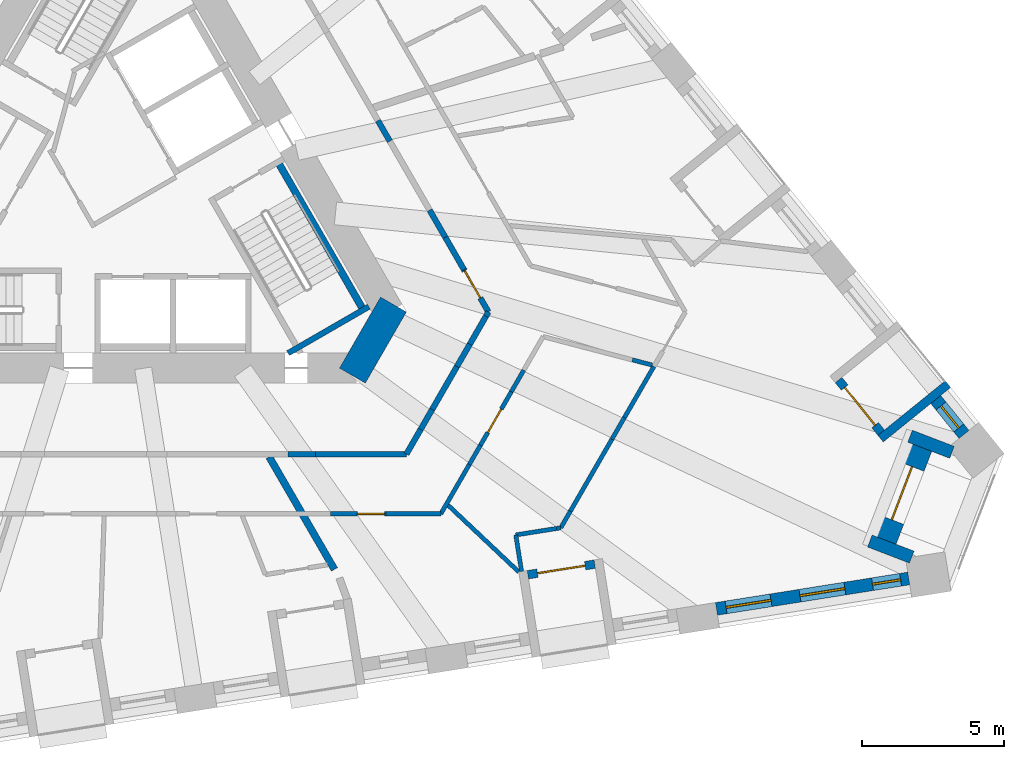
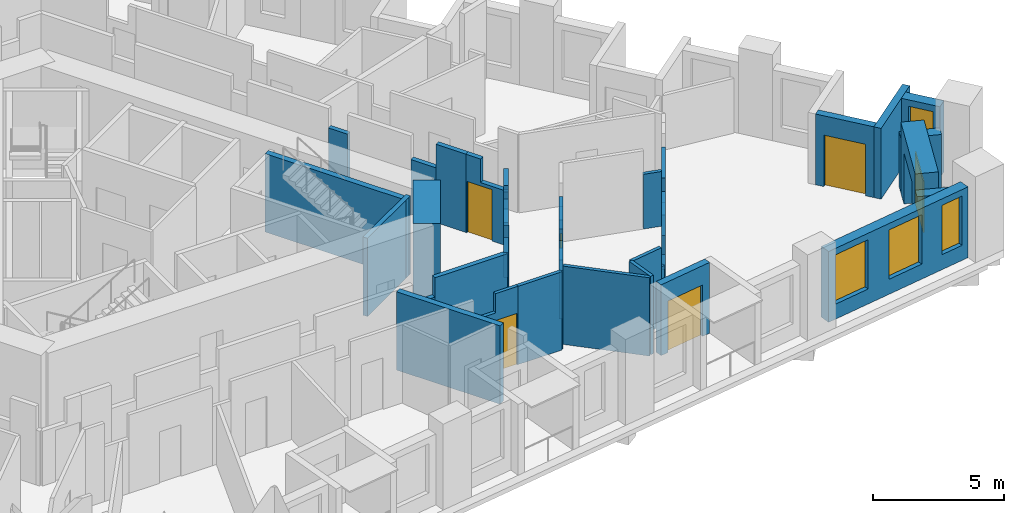
# One storey, part 6 of 14: 39 walls, 6 doors, 4 windows, 10 openings.
"""IFC4 building model written with IfcOpenShell, lengths in metres."""

from ifc_helpers import new_model, si_unit, direction, frame, frame_2d, origin, place, context, subcontext, project, spatial, polyline, rectangle, outline, extrude, material, layer, layer_set, type_object, element, fill, save


model = new_model("IFC4")

# Units and contexts
model_context = context("Model", 3, precision=1e-05, world=origin(), true_north=direction((0.0, 1.0)))
body_context = subcontext(model_context, "Body", "Model", "MODEL_VIEW")
ifc_project = project(units=[si_unit("LENGTHUNIT", "METRE"), si_unit("AREAUNIT", "SQUARE_METRE"), si_unit("VOLUMEUNIT", "CUBIC_METRE"), si_unit("PLANEANGLEUNIT", "RADIAN"), si_unit("MASSUNIT", "GRAM", prefix="KILO")], contexts=[model_context])

# Site, building, storey
site_placement = place(None, origin())
site = spatial("IfcSite", under=ifc_project, at=site_placement, CompositionType="ELEMENT")
building_placement = place(site_placement, origin())
building = spatial("IfcBuilding", under=site, at=building_placement, Name="Tramontana Tower", CompositionType="ELEMENT")
storey_placement = place(building_placement, frame((0.0, 0.0, 79.199951171875)))
storey = spatial("IfcBuildingStorey", under=building, at=storey_placement, Name="L17", CompositionType="ELEMENT", Elevation=79.199951171875)

# Walls
ifc_material_1 = material(Name="Concrete 70 MPa", Category="concrete")
ifc_layer_1 = layer(ifc_material_1, 1.050048828125)
ifc_layer_set_1 = layer_set([ifc_layer_1], Name="Core wall 1050 70 MPa")
wall_type_1 = type_object("IfcWallType", Name="Core wall 1050 70 MPa", PredefinedType="SHEAR", material=ifc_layer_set_1)
wall_1_placement = place(storey_placement, frame((8.349853515625, -6.487548828125, 0.0), z_axis=(0.0, 0.0, 1.0), x_axis=(0.499995765644, 0.866027848477, 0.0)))
element("IfcWall", 1, at=wall_1_placement, inside=storey, type_object=wall_type_1, Name="Core wall C4 L17", PredefinedType="SHEAR", context=body_context, shape_type="SweptSolid", body=[
    extrude(rectangle(XDim=2.88671875, YDim=1.050048828125, at=frame_2d((1.443359375, 0.0))), origin(), (0.0, 0.0, 1.0), 4.0),
])
ifc_material_2 = material(Name="Blockwork", Category="masonry")
ifc_layer_2 = layer(ifc_material_2, 0.199951171875)
ifc_layer_set_2 = layer_set([ifc_layer_2], Name="ENTRY WALL 200")
wall_type_2 = type_object("IfcWallType", Name="ENTRY WALL 200", PredefinedType="SOLIDWALL", material=ifc_layer_set_2)
wall_2_placement = place(storey_placement, frame((9.248046875, 2.48193359375, 0.0), z_axis=(0.0, 0.0, 1.0), x_axis=(0.500117447933, -0.865957584569, 0.0)))
element("IfcWall", 2, at=wall_2_placement, inside=storey, type_object=wall_type_2, Name="Wall v12-ew0-5", PredefinedType="SOLIDWALL", context=body_context, shape_type="SweptSolid", body=[
    extrude(rectangle(XDim=0.838134765625, YDim=0.199951171875, at=frame_2d((0.4189453125, 0.0))), origin(), (0.0, 0.0, 1.0), 2.75),
])
wall_3_placement = place(storey_placement, frame((11.06396484375, -0.663330078125, 0.0), z_axis=(0.0, 0.0, 1.0), x_axis=(0.499951133605, -0.866053614973, 0.0)))
element("IfcWall", 3, at=wall_3_placement, inside=storey, type_object=wall_type_2, Name="Wall v12-ew0-7", PredefinedType="SOLIDWALL", context=body_context, shape_type="SweptSolid", body=[
    extrude(rectangle(XDim=1.10888671875, YDim=0.199951171875, at=frame_2d((0.554443359375, 0.0))), origin(), (0.0, 0.0, 1.0), 2.550048828125),
])
wall_4_placement = place(storey_placement, frame((11.618408203125, -1.623779296875, 0.0), z_axis=(0.0, 0.0, 1.0), x_axis=(0.500060622324, -0.86599040064, 0.0)))
element("IfcWall", 4, at=wall_4_placement, inside=storey, type_object=wall_type_2, Name="Wall v12-ew0-8", PredefinedType="SOLIDWALL", context=body_context, shape_type="SweptSolid", body=[
    extrude(rectangle(XDim=1.312255859375, YDim=0.199951171875, at=frame_2d((0.65625, 0.0))), origin(), (0.0, 0.0, 1.0), 3.650146484375),
])

# Wall, opening, door
wall_5_placement = place(storey_placement, frame((12.274658203125, -2.76025390625, 0.0), z_axis=(0.0, 0.0, 1.0), x_axis=(0.500000921525, -0.866024871741, 0.0)))
wall_5 = element("IfcWall", 5, at=wall_5_placement, inside=storey, type_object=wall_type_2, Name="Wall v12-ew0-9", PredefinedType="SOLIDWALL", context=body_context, shape_type="SweptSolid", body=[
    extrude(outline(polyline([(0.0, 0.0), (1.72021484375, 0.0), (1.72021484375, 2.550048828125), (0.64990234375, 2.550048828125), (0.64990234375, 3.650146484375), (0.0, 3.650146484375), (0.0, 0.0)])), frame((0.0, 0.10009765625, 0.0), z_axis=(0.0, -1.0, 0.0), x_axis=(1.0, 0.0, 0.0)), (0.0, 0.0, 1.0), 0.199951171875),
])
opening_1_placement = place(wall_5_placement, frame((0.050048828125, 0.0, 0.0)))
opening_1 = element("IfcOpeningElement", 6, at=opening_1_placement, cuts=wall_5, Name="Opening B1C-26", PredefinedType="OPENING", context=body_context, shape_type="SweptSolid", body=[
    extrude(rectangle(XDim=1.10009765625, YDim=2.39990234375, at=frame_2d((0.550048828125, 1.199951171875))), frame((0.0, 0.10986328125, 0.0), z_axis=(0.0, -1.0, 0.0), x_axis=(1.0, 0.0, 0.0)), (0.0, 0.0, 1.0), 0.219970703125),
])
ifc_material_3 = material(Name="Painted timber", Category="wood")
door_type_1 = type_object("IfcDoorType", Name="DOOR ENTRY 1100", OperationType="SINGLE_SWING_LEFT", PredefinedType="DOOR", material=ifc_material_3)
door_1_placement = place(opening_1_placement, origin())
door_1 = element("IfcDoor", 7, at=door_1_placement, inside=storey, type_object=door_type_1, Name="Door B1C-26", OperationType="SINGLE_SWING_RIGHT", OverallHeight=2.39990234375, OverallWidth=1.10009765625, PredefinedType="DOOR", context=body_context, shape_type="SweptSolid", body=[
    extrude(rectangle(XDim=1.10009765625, YDim=2.39990234375, at=frame_2d((0.550048828125, 1.199951171875))), frame((0.0, 0.02490234375, 0.0), z_axis=(0.0, -1.0, 0.0), x_axis=(1.0, 0.0, 0.0)), (0.0, 0.0, 1.0), 0.050048828125),
])
fill(opening_1, door_1)

# Walls
wall_6_placement = place(storey_placement, frame((13.134765625, -4.25, 0.0), z_axis=(0.0, 0.0, 1.0), x_axis=(-0.500586455622, -0.865686548612, 0.0)))
element("IfcWall", 8, at=wall_6_placement, inside=storey, type_object=wall_type_2, Name="Wall v12-ew1-0", PredefinedType="SOLIDWALL", context=body_context, shape_type="SweptSolid", body=[
    extrude(rectangle(XDim=0.171142578125, YDim=0.199951171875, at=frame_2d((0.08544921875, 0.0))), origin(), (0.0, 0.0, 1.0), 2.550048828125),
])
wall_7_placement = place(storey_placement, frame((13.049072265625, -4.398193359375, 0.0), z_axis=(0.0, 0.0, 1.0), x_axis=(-0.499889102667, -0.866089420923, 0.0)))
element("IfcWall", 9, at=wall_7_placement, inside=storey, type_object=wall_type_2, Name="Wall v12-ew1-1", PredefinedType="SOLIDWALL", context=body_context, shape_type="SweptSolid", body=[
    extrude(rectangle(XDim=1.141357421875, YDim=0.199951171875, at=frame_2d((0.57080078125, 0.0))), origin(), (0.0, 0.0, 1.0), 3.650146484375),
])
wall_8_placement = place(storey_placement, frame((12.478515625, -5.38671875, 0.0), z_axis=(0.0, 0.0, 1.0), x_axis=(-0.500151474942, -0.865937932021, 0.0)))
element("IfcWall", 10, at=wall_8_placement, inside=storey, type_object=wall_type_2, Name="Wall v12-ew1-2", PredefinedType="SOLIDWALL", context=body_context, shape_type="SweptSolid", body=[
    extrude(rectangle(XDim=0.903076171875, YDim=0.199951171875, at=frame_2d((0.45166015625, 0.0))), origin(), (0.0, 0.0, 1.0), 2.550048828125),
])
wall_9_placement = place(storey_placement, frame((12.02685546875, -6.168701171875, 0.0), z_axis=(0.0, 0.0, 1.0), x_axis=(-0.499900037626, -0.866083109396, 0.0)))
element("IfcWall", 11, at=wall_9_placement, inside=storey, type_object=wall_type_2, Name="Wall v12-ew1-3", PredefinedType="SOLIDWALL", context=body_context, shape_type="SweptSolid", body=[
    extrude(rectangle(XDim=1.745361328125, YDim=0.199951171875, at=frame_2d((0.87255859375, 0.0))), origin(), (0.0, 0.0, 1.0), 3.650146484375),
])
wall_10_placement = place(storey_placement, frame((11.154296875, -7.680419921875, 0.0), z_axis=(0.0, 0.0, 1.0), x_axis=(-0.500151261923, -0.865938055058, 0.0)))
element("IfcWall", 12, at=wall_10_placement, inside=storey, type_object=wall_type_2, Name="Wall v12-ew1-4", PredefinedType="SOLIDWALL", context=body_context, shape_type="SweptSolid", body=[
    extrude(rectangle(XDim=0.804931640625, YDim=0.199951171875, at=frame_2d((0.40234375, 0.0))), origin(), (0.0, 0.0, 1.0), 2.75),
])
wall_11_placement = place(storey_placement, frame((10.751708984375, -8.37744140625, 0.0), z_axis=(0.0, 0.0, 1.0), x_axis=(-0.499918237861, -0.866072604031, 0.0)))
element("IfcWall", 13, at=wall_11_placement, inside=storey, type_object=wall_type_2, Name="Wall v12-ew1-5", PredefinedType="SOLIDWALL", context=body_context, shape_type="SweptSolid", body=[
    extrude(rectangle(XDim=1.007568359375, YDim=0.199951171875, at=frame_2d((0.50390625, 0.0))), origin(), (0.0, 0.0, 1.0), 3.650146484375),
])
wall_12_placement = place(storey_placement, frame((10.248046875, -9.25, 0.0), z_axis=(0.0, 0.0, 1.0), x_axis=(-1.0, 0.0, 0.0)))
element("IfcWall", 14, at=wall_12_placement, inside=storey, type_object=wall_type_2, Name="Wall v12-ew2-0", PredefinedType="SOLIDWALL", context=body_context, shape_type="SweptSolid", body=[
    extrude(rectangle(XDim=3.190673828125, YDim=0.199951171875, at=frame_2d((1.59521484375, 0.0))), origin(), (0.0, 0.0, 1.0), 3.650146484375),
])
wall_13_placement = place(storey_placement, frame((7.057373046875, -9.25, 0.0), z_axis=(0.0, 0.0, 1.0), x_axis=(-1.0, 0.0, 0.0)))
element("IfcWall", 15, at=wall_13_placement, inside=storey, type_object=wall_type_2, Name="Wall v12-ew2-1", PredefinedType="SOLIDWALL", context=body_context, shape_type="SweptSolid", body=[
    extrude(rectangle(XDim=0.981201171875, YDim=0.199951171875, at=frame_2d((0.49072265625, 0.0))), origin(), (0.0, 0.0, 1.0), 2.75),
])

# Wall, openings, windows
ifc_material_4 = material(Name="Precast concrete 60 MPa", Category="concrete")
ifc_layer_3 = layer(ifc_material_4, 0.449951171875)
ifc_layer_set_3 = layer_set([ifc_layer_3], Name="Precast concrete 60 MPa, 450 mm")
wall_type_3 = type_object("IfcWallType", Name="EW1 Stone-faced precast wall 450", PredefinedType="SOLIDWALL", material=ifc_layer_set_3)
wall_14_placement = place(storey_placement, frame((21.1572265625, -14.6962890625, 0.0), z_axis=(0.0, 0.0, 1.0), x_axis=(0.987685675151, 0.156451293065, 0.0)))
wall_14 = element("IfcWall", 16, at=wall_14_placement, inside=storey, type_object=wall_type_3, Name="External wall L17 face 1 bay 6", PredefinedType="SOLIDWALL", context=body_context, shape_type="SweptSolid", body=[
    extrude(rectangle(XDim=6.848876953125, YDim=0.449951171875, at=frame_2d((3.42431640625, 0.0))), origin(), (0.0, 0.0, 1.0), 3.300048828125),
])
opening_2_placement = place(wall_14_placement, frame((0.341552734375, 0.0, 0.699951171875)))
opening_2 = element("IfcOpeningElement", 17, at=opening_2_placement, cuts=wall_14, Name="Opening M1", PredefinedType="OPENING", context=body_context, shape_type="SweptSolid", body=[
    extrude(rectangle(XDim=1.60009765625, YDim=2.300048828125, at=frame_2d((0.800048828125, 1.14990234375))), frame((0.0, 0.23486328125, 0.0), z_axis=(0.0, -1.0, 0.0), x_axis=(1.0, 0.0, 0.0)), (0.0, 0.0, 1.0), 0.469970703125),
])
opening_3_placement = place(wall_14_placement, frame((2.974365234375, 0.0, 0.699951171875)))
opening_3 = element("IfcOpeningElement", 18, at=opening_3_placement, cuts=wall_14, Name="Opening M1", PredefinedType="OPENING", context=body_context, shape_type="SweptSolid", body=[
    extrude(rectangle(XDim=1.60009765625, YDim=2.300048828125, at=frame_2d((0.800048828125, 1.14990234375))), frame((0.0, 0.23486328125, 0.0), z_axis=(0.0, -1.0, 0.0), x_axis=(1.0, 0.0, 0.0)), (0.0, 0.0, 1.0), 0.469970703125),
])
opening_4_placement = place(wall_14_placement, frame((5.557373046875, 0.0, 0.699951171875)))
opening_4 = element("IfcOpeningElement", 19, at=opening_4_placement, cuts=wall_14, Name="Opening N1", PredefinedType="OPENING", context=body_context, shape_type="SweptSolid", body=[
    extrude(rectangle(XDim=1.0, YDim=2.300048828125, at=frame_2d((0.5, 1.14990234375))), frame((0.0, 0.23486328125, 0.0), z_axis=(0.0, -1.0, 0.0), x_axis=(1.0, 0.0, 0.0)), (0.0, 0.0, 1.0), 0.469970703125),
])
ifc_material_5 = material(Name="Aluminum frame, double glazing unit", Category="aluminium")
window_type_1 = type_object("IfcWindowType", Name="M1 Window 1.6 x 2.3", PartitioningType="SINGLE_PANEL", PredefinedType="WINDOW", material=ifc_material_5)
window_1_placement = place(opening_2_placement, origin())
window_1 = element("IfcWindow", 20, at=window_1_placement, inside=storey, type_object=window_type_1, Name="Window M1 L17 face 1 module 16", OverallHeight=2.300048828125, OverallWidth=1.60009765625, PartitioningType="SINGLE_PANEL", PredefinedType="WINDOW", context=body_context, shape_type="SweptSolid", body=[
    extrude(rectangle(XDim=1.60009765625, YDim=2.300048828125, at=frame_2d((0.800048828125, 1.14990234375))), frame((0.0, 0.030029296875, 0.0), z_axis=(0.0, -1.0, 0.0), x_axis=(1.0, 0.0, 0.0)), (0.0, 0.0, 1.0), 0.06005859375),
])
fill(opening_2, window_1)
window_2_placement = place(opening_3_placement, origin())
window_2 = element("IfcWindow", 21, at=window_2_placement, inside=storey, type_object=window_type_1, Name="Window M1 L17 face 1 module 17", OverallHeight=2.300048828125, OverallWidth=1.60009765625, PartitioningType="SINGLE_PANEL", PredefinedType="WINDOW", context=body_context, shape_type="SweptSolid", body=[
    extrude(rectangle(XDim=1.60009765625, YDim=2.300048828125, at=frame_2d((0.800048828125, 1.14990234375))), frame((0.0, 0.030029296875, 0.0), z_axis=(0.0, -1.0, 0.0), x_axis=(1.0, 0.0, 0.0)), (0.0, 0.0, 1.0), 0.06005859375),
])
fill(opening_3, window_2)
ifc_material_6 = material(Name="Aluminum frame, double glazing unit", Category="aluminium")
window_type_2 = type_object("IfcWindowType", Name="N1 Window 1 x 2.3", PartitioningType="SINGLE_PANEL", PredefinedType="WINDOW", material=ifc_material_6)
window_3_placement = place(opening_4_placement, origin())
window_3 = element("IfcWindow", 22, at=window_3_placement, inside=storey, type_object=window_type_2, Name="Window N1 L17 face 1 module 18", OverallHeight=2.300048828125, OverallWidth=1.0, PartitioningType="SINGLE_PANEL", PredefinedType="WINDOW", context=body_context, shape_type="SweptSolid", body=[
    extrude(rectangle(XDim=1.0, YDim=2.300048828125, at=frame_2d((0.5, 1.14990234375))), frame((0.0, 0.030029296875, 0.0), z_axis=(0.0, -1.0, 0.0), x_axis=(1.0, 0.0, 0.0)), (0.0, 0.0, 1.0), 0.06005859375),
])
fill(opening_4, window_3)

# Wall, opening, window
wall_15_placement = place(storey_placement, frame((29.86669921875, -8.558349609375, 0.0), z_axis=(0.0, 0.0, 1.0), x_axis=(-0.629273652342, 0.77718380739, 0.0)))
wall_15 = element("IfcWall", 23, at=wall_15_placement, inside=storey, type_object=wall_type_3, Name="External wall L17 face 2 bay 1", PredefinedType="SOLIDWALL", context=body_context, shape_type="SweptSolid", body=[
    extrude(rectangle(XDim=1.5830078125, YDim=0.449951171875, at=frame_2d((0.79150390625, 0.0))), origin(), (0.0, 0.0, 1.0), 3.300048828125),
])
opening_5_placement = place(wall_15_placement, frame((0.29150390625, 0.0, 0.699951171875)))
opening_5 = element("IfcOpeningElement", 24, at=opening_5_placement, cuts=wall_15, Name="Opening N1", PredefinedType="OPENING", context=body_context, shape_type="SweptSolid", body=[
    extrude(rectangle(XDim=1.0, YDim=2.300048828125, at=frame_2d((0.5, 1.14990234375))), frame((0.0, 0.23486328125, 0.0), z_axis=(0.0, -1.0, 0.0), x_axis=(1.0, 0.0, 0.0)), (0.0, 0.0, 1.0), 0.469970703125),
])
window_4_placement = place(opening_5_placement, origin())
window_4 = element("IfcWindow", 25, at=window_4_placement, inside=storey, type_object=window_type_2, Name="Window N1 L17 face 2 module 1", OverallHeight=2.300048828125, OverallWidth=1.0, PartitioningType="SINGLE_PANEL", PredefinedType="WINDOW", context=body_context, shape_type="SweptSolid", body=[
    extrude(rectangle(XDim=1.0, YDim=2.300048828125, at=frame_2d((0.5, 1.14990234375))), frame((0.0, 0.030029296875, 0.0), z_axis=(0.0, -1.0, 0.0), x_axis=(1.0, 0.0, 0.0)), (0.0, 0.0, 1.0), 0.06005859375),
])
fill(opening_5, window_4)

# Walls
for number, where, z_axis, x_axis, name in (
    (26, (29.442626953125, -9.1865234375, 0.0), (0.0, 0.0, 1.0), (-0.93358843832, 0.358347077335, 0.0), "Corner loggia side wall L17 K12l"),
    (27, (28.027099609375, -12.8740234375, 0.0), (0.0, 0.0, 1.0), (-0.93358843832, 0.358347077335, 0.0), "Corner loggia side wall L17 K12r"),
):
    element("IfcWall", number, at=place(storey_placement, frame(where, z_axis=z_axis, x_axis=x_axis)), inside=storey, type_object=wall_type_3, Name=name, PredefinedType="SOLIDWALL", context=body_context, shape_type="SweptSolid", body=[
        extrude(rectangle(XDim=1.579345703125, YDim=0.449951171875, at=frame_2d((0.78955078125, 0.0))), origin(), (0.0, 0.0, 1.0), 2.550048828125),
    ])

# Wall, opening, door
ifc_material_7 = material(Name="Precast concrete 60 MPa", Category="concrete")
ifc_layer_4 = layer(ifc_material_7, 0.89990234375)
ifc_layer_set_4 = layer_set([ifc_layer_4], Name="EW2 Stone-faced corner loggia wall 900")
wall_type_4 = type_object("IfcWallType", Name="EW2 Stone-faced corner loggia wall 900", PredefinedType="SOLIDWALL", material=ifc_layer_set_4)
wall_16_placement = place(storey_placement, frame((28.307861328125, -8.991943359375, 0.0), z_axis=(0.0, 0.0, 1.0), x_axis=(-0.35841340332, -0.933562977158, 0.0)))
wall_16 = element("IfcWall", 28, at=wall_16_placement, inside=storey, type_object=wall_type_4, Name="Corner loggia wall L17 K12", PredefinedType="SOLIDWALL", context=body_context, shape_type="SweptSolid", body=[
    extrude(rectangle(XDim=3.499755859375, YDim=0.89990234375, at=frame_2d((1.75, 0.0))), origin(), (0.0, 0.0, 1.0), 3.300048828125),
])
opening_6_placement = place(wall_16_placement, frame((0.75, 0.0, 0.0)))
opening_6 = element("IfcOpeningElement", 29, at=opening_6_placement, cuts=wall_16, Name="Opening BD-12C", PredefinedType="OPENING", context=body_context, shape_type="SweptSolid", body=[
    extrude(rectangle(XDim=2.0, YDim=2.39990234375, at=frame_2d((1.0, 1.199951171875))), frame((0.0, 0.4599609375, 0.0), z_axis=(0.0, -1.0, 0.0), x_axis=(1.0, 0.0, 0.0)), (0.0, 0.0, 1.0), 0.919921875),
])
ifc_material_8 = material(Name="Aluminum frame, double glazing unit", Category="aluminium")
door_type_2 = type_object("IfcDoorType", Name="BC1 Sliding door 2 x 2.4", OperationType="SLIDING_TO_LEFT", PredefinedType="DOOR", material=ifc_material_8)
door_2_placement = place(opening_6_placement, origin())
door_2 = element("IfcDoor", 30, at=door_2_placement, inside=storey, type_object=door_type_2, Name="Corner loggia door L17 K12", OperationType="SLIDING_TO_LEFT", OverallHeight=2.39990234375, OverallWidth=2.0, PredefinedType="DOOR", context=body_context, shape_type="SweptSolid", body=[
    extrude(rectangle(XDim=2.0, YDim=2.39990234375, at=frame_2d((1.0, 1.199951171875))), frame((0.0, 0.02490234375, 0.0), z_axis=(0.0, -1.0, 0.0), x_axis=(1.0, 0.0, 0.0)), (0.0, 0.0, 1.0), 0.050048828125),
])
fill(opening_6, door_2)

ifc_material_9 = material(Name="Precast concrete 60 MPa", Category="concrete")
ifc_layer_5 = layer(ifc_material_9, 0.300048828125)
ifc_layer_set_5 = layer_set([ifc_layer_5], Name="LW1 Stone-faced loggia wall 300")
wall_type_5 = type_object("IfcWallType", Name="LW1 Stone-faced loggia wall 300", PredefinedType="SOLIDWALL", material=ifc_layer_set_5)
wall_17_placement = place(storey_placement, frame((14.521728515625, -13.494384765625, 0.0), z_axis=(0.0, 0.0, 1.0), x_axis=(0.987685586014, 0.156451855793, 0.0)))
wall_17 = element("IfcWall", 31, at=wall_17_placement, inside=storey, type_object=wall_type_5, Name="Loggia wall L17 G1S1.13", PredefinedType="SOLIDWALL", context=body_context, shape_type="SweptSolid", body=[
    extrude(rectangle(XDim=2.3828125, YDim=0.300048828125, at=frame_2d((1.19140625, 0.0))), origin(), (0.0, 0.0, 1.0), 3.300048828125),
])
opening_7_placement = place(wall_17_placement, frame((0.341552734375, 0.0, 0.0)))
opening_7 = element("IfcOpeningElement", 32, at=opening_7_placement, cuts=wall_17, Name="Opening BD-1S1-13", PredefinedType="OPENING", context=body_context, shape_type="SweptSolid", body=[
    extrude(rectangle(XDim=1.699951171875, YDim=2.39990234375, at=frame_2d((0.85009765625, 1.199951171875))), frame((0.0, 0.159912109375, 0.0), z_axis=(0.0, -1.0, 0.0), x_axis=(1.0, 0.0, 0.0)), (0.0, 0.0, 1.0), 0.320068359375),
])
ifc_material_10 = material(Name="Aluminum frame, double glazing unit", Category="aluminium")
door_type_3 = type_object("IfcDoorType", Name="BD1 Sliding door 1.7 x 2.4", OperationType="SLIDING_TO_LEFT", PredefinedType="DOOR", material=ifc_material_10)
door_3_placement = place(opening_7_placement, origin())
door_3 = element("IfcDoor", 33, at=door_3_placement, inside=storey, type_object=door_type_3, Name="Loggia door L17 G1S1.13", OperationType="SLIDING_TO_LEFT", OverallHeight=2.39990234375, OverallWidth=1.699951171875, PredefinedType="DOOR", context=body_context, shape_type="SweptSolid", body=[
    extrude(rectangle(XDim=1.699951171875, YDim=2.39990234375, at=frame_2d((0.85009765625, 1.199951171875))), frame((0.0, 0.02490234375, 0.0), z_axis=(0.0, -1.0, 0.0), x_axis=(1.0, 0.0, 0.0)), (0.0, 0.0, 1.0), 0.050048828125),
])
fill(opening_7, door_3)

wall_18_placement = place(storey_placement, frame((26.95263671875, -8.4951171875, 0.0), z_axis=(0.0, 0.0, 1.0), x_axis=(-0.62930727886, 0.777156579316, 0.0)))
wall_18 = element("IfcWall", 34, at=wall_18_placement, inside=storey, type_object=wall_type_5, Name="Loggia wall L17 G1S2.1", PredefinedType="SOLIDWALL", context=body_context, shape_type="SweptSolid", body=[
    extrude(rectangle(XDim=2.3828125, YDim=0.300048828125, at=frame_2d((1.19140625, 0.0))), origin(), (0.0, 0.0, 1.0), 3.300048828125),
])
opening_8_placement = place(wall_18_placement, frame((0.341552734375, 0.0, 0.0)))
opening_8 = element("IfcOpeningElement", 35, at=opening_8_placement, cuts=wall_18, Name="Opening BD-1S2-01", PredefinedType="OPENING", context=body_context, shape_type="SweptSolid", body=[
    extrude(rectangle(XDim=1.699951171875, YDim=2.39990234375, at=frame_2d((0.85009765625, 1.199951171875))), frame((0.0, 0.159912109375, 0.0), z_axis=(0.0, -1.0, 0.0), x_axis=(1.0, 0.0, 0.0)), (0.0, 0.0, 1.0), 0.320068359375),
])
door_4_placement = place(opening_8_placement, origin())
door_4 = element("IfcDoor", 36, at=door_4_placement, inside=storey, type_object=door_type_3, Name="Loggia door L17 G1S2.1", OperationType="SLIDING_TO_LEFT", OverallHeight=2.39990234375, OverallWidth=1.699951171875, PredefinedType="DOOR", context=body_context, shape_type="SweptSolid", body=[
    extrude(rectangle(XDim=1.699951171875, YDim=2.39990234375, at=frame_2d((0.85009765625, 1.199951171875))), frame((0.0, 0.02490234375, 0.0), z_axis=(0.0, -1.0, 0.0), x_axis=(1.0, 0.0, 0.0)), (0.0, 0.0, 1.0), 0.050048828125),
])
fill(opening_8, door_4)

# Walls
wall_19_placement = place(storey_placement, frame((29.30078125, -6.78662109375, 0.0), z_axis=(0.0, 0.0, 1.0), x_axis=(-0.777153523895, -0.629311052102, 0.0)))
element("IfcWall", 37, at=wall_19_placement, inside=storey, type_object=wall_type_5, Name="Loggia return L17 G1S2.1a", PredefinedType="SOLIDWALL", context=body_context, shape_type="SweptSolid", body=[
    extrude(rectangle(XDim=3.050048828125, YDim=0.300048828125, at=frame_2d((1.52490234375, 0.0))), origin(), (0.0, 0.0, 1.0), 3.300048828125),
])
ifc_material_11 = material(Name="Gypsum board partition")
ifc_layer_6 = layer(ifc_material_11, 0.14990234375)
ifc_layer_set_6 = layer_set([ifc_layer_6], Name="PARTITION 150")
wall_type_6 = type_object("IfcWallType", Name="PARTITION 150", PredefinedType="PARTITIONING", material=ifc_layer_set_6)
wall_20_placement = place(storey_placement, frame((11.46044921875, -11.35009765625, 0.0), z_axis=(0.0, 0.0, 1.0), x_axis=(-1.0, 0.0, 0.0)))
element("IfcWall", 38, at=wall_20_placement, inside=storey, type_object=wall_type_6, Name="Wall v12-pw34-0", PredefinedType="PARTITIONING", context=body_context, shape_type="SweptSolid", body=[
    extrude(rectangle(XDim=1.9345703125, YDim=0.14990234375, at=frame_2d((0.96728515625, 0.0))), origin(), (0.0, 0.0, 1.0), 3.650146484375),
])

# Wall, opening, door
wall_21_placement = place(storey_placement, frame((9.52587890625, -11.35009765625, 0.0), z_axis=(0.0, 0.0, 1.0), x_axis=(-1.0, 0.0, 0.0)))
wall_21 = element("IfcWall", 39, at=wall_21_placement, inside=storey, type_object=wall_type_6, Name="Wall v12-pw34-1", PredefinedType="PARTITIONING", context=body_context, shape_type="SweptSolid", body=[
    extrude(outline(polyline([(0.0, 0.0), (1.943603515625, 0.0), (1.943603515625, 2.75), (0.9931640625, 2.75), (0.9931640625, 3.650146484375), (0.0, 3.650146484375), (0.0, 0.0)])), frame((0.0, 0.074951171875, 0.0), z_axis=(0.0, -1.0, 0.0), x_axis=(1.0, 0.0, 0.0)), (0.0, 0.0, 1.0), 0.14990234375),
])
opening_9_placement = place(wall_21_placement, frame((0.050048828125, 0.0, 0.0)))
opening_9 = element("IfcOpeningElement", 40, at=opening_9_placement, cuts=wall_21, Name="Opening B1C-21", PredefinedType="OPENING", context=body_context, shape_type="SweptSolid", body=[
    extrude(rectangle(XDim=0.949951171875, YDim=2.39990234375, at=frame_2d((0.47509765625, 1.199951171875))), frame((0.0, 0.0849609375, 0.0), z_axis=(0.0, -1.0, 0.0), x_axis=(1.0, 0.0, 0.0)), (0.0, 0.0, 1.0), 0.169921875),
])
ifc_material_12 = material(Name="Painted timber", Category="wood")
door_type_4 = type_object("IfcDoorType", Name="DOOR ROOM 950", OperationType="SINGLE_SWING_LEFT", PredefinedType="DOOR", material=ifc_material_12)
door_5_placement = place(opening_9_placement, origin())
door_5 = element("IfcDoor", 41, at=door_5_placement, inside=storey, type_object=door_type_4, Name="Door B1C-21", OperationType="SINGLE_SWING_LEFT", OverallHeight=2.39990234375, OverallWidth=0.949951171875, PredefinedType="DOOR", context=body_context, shape_type="SweptSolid", body=[
    extrude(rectangle(XDim=0.949951171875, YDim=2.39990234375, at=frame_2d((0.47509765625, 1.199951171875))), frame((0.0, 0.02490234375, 0.0), z_axis=(0.0, -1.0, 0.0), x_axis=(1.0, 0.0, 0.0)), (0.0, 0.0, 1.0), 0.050048828125),
])
fill(opening_9, door_5)

# Walls
wall_22_placement = place(storey_placement, frame((14.097412109375, -12.095458984375, 0.0), z_axis=(0.0, 0.0, 1.0), x_axis=(0.156493787951, -0.987678942943, 0.0)))
element("IfcWall", 42, at=wall_22_placement, inside=storey, type_object=wall_type_6, Name="Wall v12-pw37", PredefinedType="PARTITIONING", context=body_context, shape_type="SweptSolid", body=[
    extrude(rectangle(XDim=1.298095703125, YDim=0.14990234375, at=frame_2d((0.64892578125, 0.0))), origin(), (0.0, 0.0, 1.0), 3.650146484375),
])
wall_23_placement = place(storey_placement, frame((14.201904296875, -13.393310546875, 0.0), z_axis=(0.0, 0.0, 1.0), x_axis=(-0.727479213271, 0.68612972116, 0.0)))
element("IfcWall", 43, at=wall_23_placement, inside=storey, type_object=wall_type_6, Name="Wall v12-pw38", PredefinedType="PARTITIONING", context=body_context, shape_type="SweptSolid", body=[
    extrude(rectangle(XDim=3.41259765625, YDim=0.14990234375, at=frame_2d((1.706298828125, 0.0))), origin(), (0.0, 0.0, 1.0), 3.650146484375),
])
wall_24_placement = place(storey_placement, frame((14.378173828125, -6.296142578125, 0.0), z_axis=(0.0, 0.0, 1.0), x_axis=(-0.49990697594, -0.86607910459, 0.0)))
element("IfcWall", 44, at=wall_24_placement, inside=storey, type_object=wall_type_6, Name="Wall v12-pw42-1", PredefinedType="PARTITIONING", context=body_context, shape_type="SweptSolid", body=[
    extrude(rectangle(XDim=0.878173828125, YDim=0.14990234375, at=frame_2d((0.43896484375, 0.0))), origin(), (0.0, 0.0, 1.0), 2.550048828125),
])

# Wall, opening, door
wall_25_placement = place(storey_placement, frame((13.939208984375, -7.056640625, 0.0), z_axis=(0.0, 0.0, 1.0), x_axis=(-0.499978335414, -0.866037911478, 0.0)))
wall_25 = element("IfcWall", 45, at=wall_25_placement, inside=storey, type_object=wall_type_6, Name="Wall v12-pw42-2", PredefinedType="PARTITIONING", context=body_context, shape_type="SweptSolid", body=[
    extrude(rectangle(XDim=2.1748046875, YDim=0.14990234375, at=frame_2d((1.08740234375, 0.0))), origin(), (0.0, 0.0, 1.0), 3.650146484375),
])
opening_10_placement = place(wall_25_placement, frame((0.700927734375, 0.0, 0.0)))
opening_10 = element("IfcOpeningElement", 46, at=opening_10_placement, cuts=wall_25, Name="Opening B1C-18", PredefinedType="OPENING", context=body_context, shape_type="SweptSolid", body=[
    extrude(rectangle(XDim=0.949951171875, YDim=2.39990234375, at=frame_2d((0.47509765625, 1.199951171875))), frame((0.0, 0.0849609375, 0.0), z_axis=(0.0, -1.0, 0.0), x_axis=(1.0, 0.0, 0.0)), (0.0, 0.0, 1.0), 0.169921875),
])
door_6_placement = place(opening_10_placement, origin())
door_6 = element("IfcDoor", 47, at=door_6_placement, inside=storey, type_object=door_type_4, Name="Door B1C-18", OperationType="SINGLE_SWING_RIGHT", OverallHeight=2.39990234375, OverallWidth=0.949951171875, PredefinedType="DOOR", context=body_context, shape_type="SweptSolid", body=[
    extrude(rectangle(XDim=0.949951171875, YDim=2.39990234375, at=frame_2d((0.47509765625, 1.199951171875))), frame((0.0, 0.02490234375, 0.0), z_axis=(0.0, -1.0, 0.0), x_axis=(1.0, 0.0, 0.0)), (0.0, 0.0, 1.0), 0.050048828125),
])
fill(opening_10, door_6)

# Walls
wall_26_placement = place(storey_placement, frame((12.851806640625, -8.940185546875, 0.0), z_axis=(0.0, 0.0, 1.0), x_axis=(-0.500011542666, -0.866018739521, 0.0)))
element("IfcWall", 48, at=wall_26_placement, inside=storey, type_object=wall_type_6, Name="Wall v12-pw42-3", PredefinedType="PARTITIONING", context=body_context, shape_type="SweptSolid", body=[
    extrude(rectangle(XDim=0.77978515625, YDim=0.14990234375, at=frame_2d((0.389892578125, 0.0))), origin(), (0.0, 0.0, 1.0), 2.75),
])
wall_27_placement = place(storey_placement, frame((12.4619140625, -9.615478515625, 0.0), z_axis=(0.0, 0.0, 1.0), x_axis=(-0.499993265928, -0.866029291668, 0.0)))
element("IfcWall", 49, at=wall_27_placement, inside=storey, type_object=wall_type_6, Name="Wall v12-pw42-4", PredefinedType="PARTITIONING", context=body_context, shape_type="SweptSolid", body=[
    extrude(rectangle(XDim=2.0029296875, YDim=0.14990234375, at=frame_2d((1.00146484375, 0.0))), origin(), (0.0, 0.0, 1.0), 3.650146484375),
])
wall_28_placement = place(storey_placement, frame((15.67919921875, -11.8427734375, 0.0), z_axis=(0.0, 0.0, 1.0), x_axis=(-0.987522391443, -0.157478653785, 0.0)))
element("IfcWall", 50, at=wall_28_placement, inside=storey, type_object=wall_type_6, Name="Wall v12-pw43-0", PredefinedType="PARTITIONING", context=body_context, shape_type="SweptSolid", body=[
    extrude(rectangle(XDim=0.14892578125, YDim=0.14990234375, at=frame_2d((0.074462890625, 0.0))), origin(), (0.0, 0.0, 1.0), 2.75),
])
wall_29_placement = place(storey_placement, frame((15.5322265625, -11.8662109375, 0.0), z_axis=(0.0, 0.0, 1.0), x_axis=(-0.987706965543, -0.156316826404, 0.0)))
element("IfcWall", 51, at=wall_29_placement, inside=storey, type_object=wall_type_6, Name="Wall v12-pw43-1", PredefinedType="PARTITIONING", context=body_context, shape_type="SweptSolid", body=[
    extrude(rectangle(XDim=1.450927734375, YDim=0.14990234375, at=frame_2d((0.7255859375, 0.0))), origin(), (0.0, 0.0, 1.0), 3.650146484375),
])
wall_30_placement = place(storey_placement, frame((18.89794921875, -6.11767578125, 0.0), z_axis=(0.0, 0.0, 1.0), x_axis=(-0.967620841463, 0.252408215331, 0.0)))
element("IfcWall", 52, at=wall_30_placement, inside=storey, type_object=wall_type_6, Name="Wall v12-pw48-0", PredefinedType="PARTITIONING", context=body_context, shape_type="SweptSolid", body=[
    extrude(rectangle(XDim=0.726318359375, YDim=0.14990234375, at=frame_2d((0.36328125, 0.0))), origin(), (0.0, 0.0, 1.0), 2.550048828125),
])
wall_31_placement = place(storey_placement, frame((18.957763671875, -6.1640625, 0.0), z_axis=(0.0, 0.0, 1.0), x_axis=(-0.499939227269, -0.866060488094, 0.0)))
element("IfcWall", 53, at=wall_31_placement, inside=storey, type_object=wall_type_6, Name="Wall v12-pw50-2", PredefinedType="PARTITIONING", context=body_context, shape_type="SweptSolid", body=[
    extrude(rectangle(XDim=2.079833984375, YDim=0.14990234375, at=frame_2d((1.0400390625, 0.0))), origin(), (0.0, 0.0, 1.0), 3.650146484375),
])
wall_32_placement = place(storey_placement, frame((17.91796875, -7.96533203125, 0.0), z_axis=(0.0, 0.0, 1.0), x_axis=(-0.500115484592, -0.865958718457, 0.0)))
element("IfcWall", 54, at=wall_32_placement, inside=storey, type_object=wall_type_6, Name="Wall v12-pw50-3", PredefinedType="PARTITIONING", context=body_context, shape_type="SweptSolid", body=[
    extrude(rectangle(XDim=0.878173828125, YDim=0.14990234375, at=frame_2d((0.43896484375, 0.0))), origin(), (0.0, 0.0, 1.0), 2.550048828125),
])
wall_33_placement = place(storey_placement, frame((17.478759765625, -8.725830078125, 0.0), z_axis=(0.0, 0.0, 1.0), x_axis=(-0.499980071345, -0.866036909293, 0.0)))
element("IfcWall", 55, at=wall_33_placement, inside=storey, type_object=wall_type_6, Name="Wall v12-pw50-4", PredefinedType="PARTITIONING", context=body_context, shape_type="SweptSolid", body=[
    extrude(rectangle(XDim=2.92578125, YDim=0.14990234375, at=frame_2d((1.462890625, 0.0))), origin(), (0.0, 0.0, 1.0), 3.650146484375),
])
wall_34_placement = place(storey_placement, frame((16.015869140625, -11.259765625, 0.0), z_axis=(0.0, 0.0, 1.0), x_axis=(-0.500078207394, -0.865980246016, 0.0)))
element("IfcWall", 56, at=wall_34_placement, inside=storey, type_object=wall_type_6, Name="Wall v12-pw50-5", PredefinedType="PARTITIONING", context=body_context, shape_type="SweptSolid", body=[
    extrude(rectangle(XDim=0.67333984375, YDim=0.14990234375, at=frame_2d((0.336669921875, 0.0))), origin(), (0.0, 0.0, 1.0), 2.75),
])
ifc_material_13 = material(Name="Blockwork", Category="masonry")
ifc_layer_7 = layer(ifc_material_13, 0.25)
ifc_layer_set_7 = layer_set([ifc_layer_7], Name="PARTY WALL 250")
wall_type_7 = type_object("IfcWallType", Name="PARTY WALL 250", PredefinedType="SOLIDWALL", material=ifc_layer_set_7)
wall_35_placement = place(storey_placement, frame((5.423095703125, -9.35009765625, 0.0), z_axis=(0.0, 0.0, 1.0), x_axis=(0.501722084107, -0.865028872535, 0.0)))
element("IfcWall", 57, at=wall_35_placement, inside=storey, type_object=wall_type_7, Name="Wall v12-pw29", PredefinedType="SOLIDWALL", context=body_context, shape_type="SweptSolid", body=[
    extrude(rectangle(XDim=4.573486328125, YDim=0.25, at=frame_2d((2.28662109375, 0.0))), origin(), (0.0, 0.0, 1.0), 3.650146484375),
])
ifc_material_14 = material(Name="Concrete 70 MPa", Category="concrete")
ifc_layer_8 = layer(ifc_material_14, 0.25)
ifc_layer_set_8 = layer_set([ifc_layer_8], Name="Concrete 70 MPa, 250 mm")
wall_type_8 = type_object("IfcWallType", Name="RC SHAFT BACK WALL 250", PredefinedType="SOLIDWALL", material=ifc_layer_set_8)
wall_36_placement = place(storey_placement, frame((8.781494140625, -4.260009765625, 0.0), z_axis=(0.0, 0.0, 1.0), x_axis=(-0.500009909098, 0.866019682689, 0.0)))
element("IfcWall", 58, at=wall_36_placement, inside=storey, type_object=wall_type_8, Name="Wall st3-back", PredefinedType="SOLIDWALL", context=body_context, shape_type="SweptSolid", body=[
    extrude(rectangle(XDim=6.199951171875, YDim=0.25, at=frame_2d((3.10009765625, 0.0))), origin(), (0.0, 0.0, 1.0), 3.650146484375),
])
ifc_material_15 = material(Name="Concrete 70 MPa", Category="concrete")
ifc_layer_9 = layer(ifc_material_15, 0.199951171875)
ifc_layer_set_9 = layer_set([ifc_layer_9], Name="Concrete 70 MPa, 200 mm")
wall_type_9 = type_object("IfcWallType", Name="RC STAIR AND SHAFT WALL 200", PredefinedType="SOLIDWALL", material=ifc_layer_set_9)
wall_37_placement = place(storey_placement, frame((6.08740234375, -5.699951171875, 0.0), z_axis=(0.0, 0.0, 1.0), x_axis=(0.866006986733, 0.500031897912, 0.0)))
element("IfcWall", 59, at=wall_37_placement, inside=storey, type_object=wall_type_9, Name="Wall st3-far", PredefinedType="SOLIDWALL", context=body_context, shape_type="SweptSolid", body=[
    extrude(rectangle(XDim=3.278076171875, YDim=0.199951171875, at=frame_2d((1.63916015625, 0.0))), origin(), (0.0, 0.0, 1.0), 3.650146484375),
])

save(model, "model.ifc")
